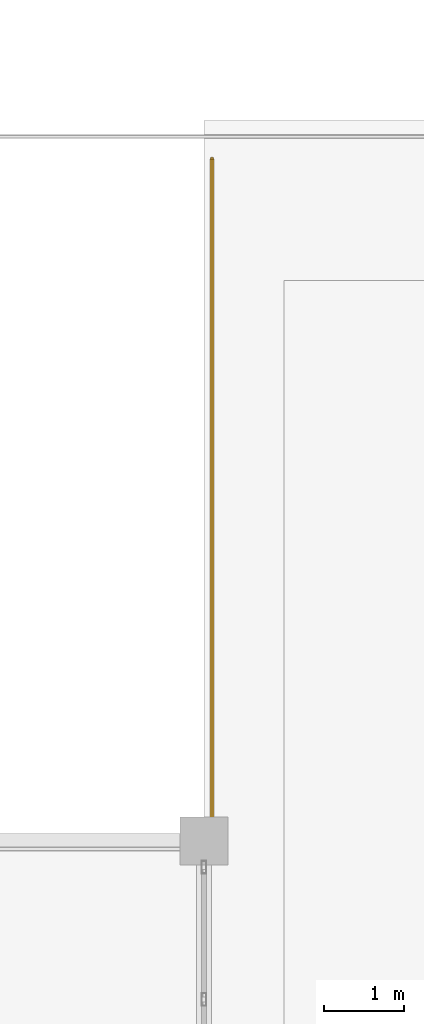
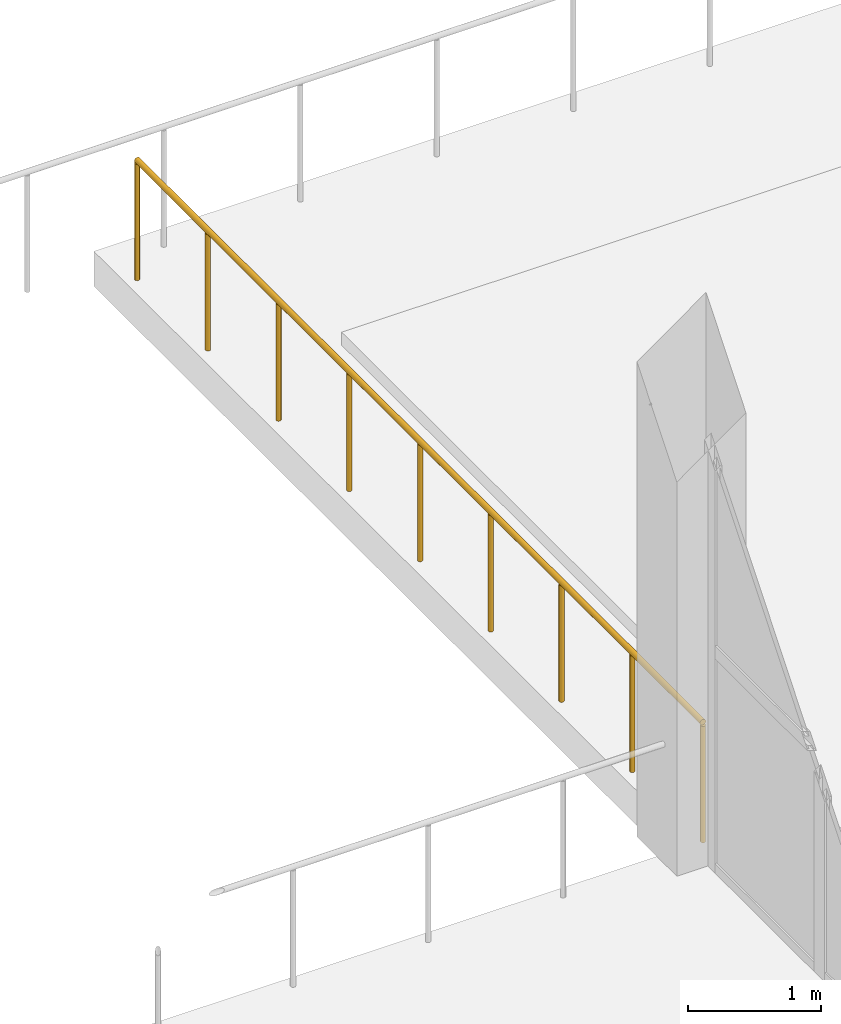
# One storey, part 167 of 167: 1 railing.
"""IFC4 building model written with IfcOpenShell, lengths in metres."""

from ifc_helpers import new_model, si_unit, direction, frame, origin, origin_2d, place, context, subcontext, project, spatial, circle, extrude, material, type_object, element, save


model = new_model("IFC4")

# Units and contexts
model_context = context("Model", 3, precision=1e-05, world=origin(), true_north=direction((0.0, 1.0)))
body_context = subcontext(model_context, "Body", "Model", "MODEL_VIEW")
ifc_project = project(units=[si_unit("LENGTHUNIT", "METRE"), si_unit("AREAUNIT", "SQUARE_METRE"), si_unit("VOLUMEUNIT", "CUBIC_METRE"), si_unit("PLANEANGLEUNIT", "RADIAN"), si_unit("MASSUNIT", "GRAM", prefix="KILO")], contexts=[model_context])

# Site, building, storey
site_placement = place(None, origin())
site = spatial("IfcSite", under=ifc_project, at=site_placement, CompositionType="ELEMENT")
building_placement = place(site_placement, origin())
building = spatial("IfcBuilding", under=site, at=building_placement, Name="Dornveld Trade and Exhibition Forum", CompositionType="ELEMENT")
storey_placement = place(building_placement, frame((0.0, 0.0, 16.800048828125)))
storey = spatial("IfcBuildingStorey", under=building, at=storey_placement, Name="L03", CompositionType="ELEMENT", Elevation=16.800048828125)

# Railing
ifc_material = material(Name="Dark-bronze steel and laminated glass balustrade", Category="steel")
railing_type = type_object("IfcRailingType", Name="RL-BALUST-CONC", PredefinedType="BALUSTRADE", material=ifc_material)
railing_placement = place(storey_placement, frame((198.10009765625, 126.0, 0.0)))
element("IfcRailing", 1, at=railing_placement, inside=storey, type_object=railing_type, Name="L03 deck edge balustrade 188", PredefinedType="BALUSTRADE", context=body_context, shape_type="SweptSolid", body=[
    extrude(circle(Radius=0.02490234375, at=origin_2d()), frame((0.0, 0.0, 1.09521484375), z_axis=(0.0, 1.0, 0.0), x_axis=(-1.0, 0.0, 0.0)), (0.0, 0.0, 1.0), 8.52001953125),
    extrude(circle(Radius=0.02099609375, at=origin_2d()), origin(), (0.0, 0.0, 1.0), 1.070068359375),
    extrude(circle(Radius=0.02099609375, at=origin_2d()), frame((0.0, 1.06494140625, 0.0)), (0.0, 0.0, 1.0), 1.070068359375),
    extrude(circle(Radius=0.02099609375, at=origin_2d()), frame((0.0, 2.1298828125, 0.0)), (0.0, 0.0, 1.0), 1.070068359375),
    extrude(circle(Radius=0.02099609375, at=origin_2d()), frame((0.0, 3.195068359375, 0.0)), (0.0, 0.0, 1.0), 1.070068359375),
    extrude(circle(Radius=0.02099609375, at=origin_2d()), frame((0.0, 4.260009765625, 0.0)), (0.0, 0.0, 1.0), 1.070068359375),
    extrude(circle(Radius=0.02099609375, at=origin_2d()), frame((0.0, 5.324951171875, 0.0)), (0.0, 0.0, 1.0), 1.070068359375),
    extrude(circle(Radius=0.02099609375, at=origin_2d()), frame((0.0, 6.39013671875, 0.0)), (0.0, 0.0, 1.0), 1.070068359375),
    extrude(circle(Radius=0.02099609375, at=origin_2d()), frame((0.0, 7.455078125, 0.0)), (0.0, 0.0, 1.0), 1.070068359375),
    extrude(circle(Radius=0.02099609375, at=origin_2d()), frame((0.0, 8.52001953125, 0.0)), (0.0, 0.0, 1.0), 1.070068359375),
])

save(model, "model.ifc")
